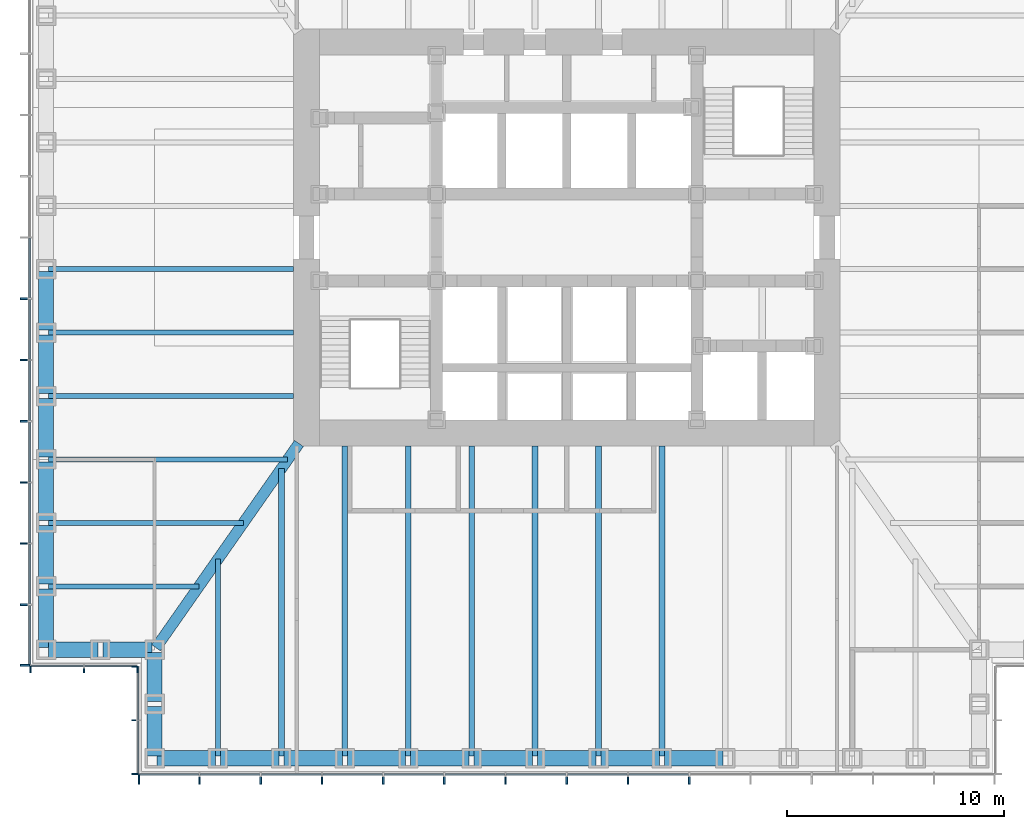
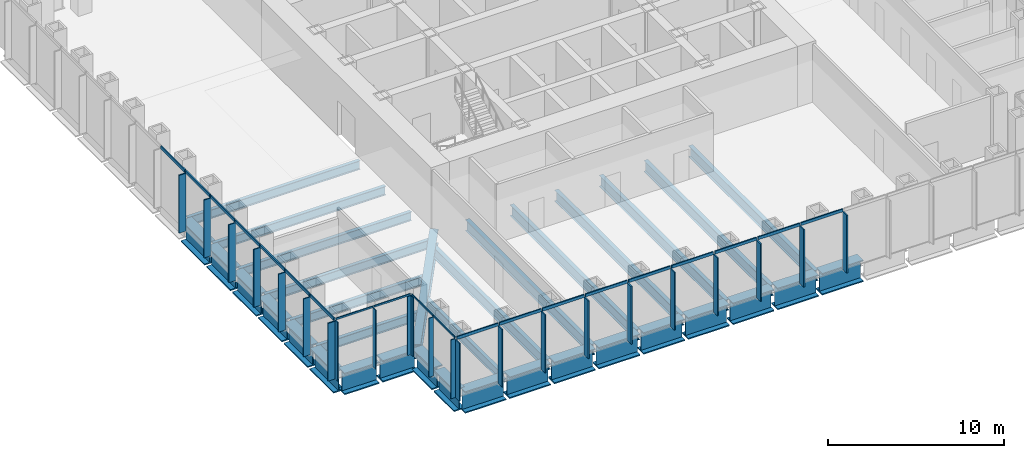
# One storey, part 2 of 16: 43 members, 34 beams, 4 elements without a shape of their own.
"""IFC4 building model written with IfcOpenShell, lengths in metres."""

from ifc_helpers import new_model, si_unit, direction, frame, origin, origin_2d, place, context, subcontext, project, spatial, rectangle, i_section, extrude, material, material_profile, profile_set, type_object, element, aggregate, save


model = new_model("IFC4")

# Units and contexts
model_context = context("Model", 3, precision=1e-05, world=origin(), true_north=direction((0.0, 1.0)))
body_context = subcontext(model_context, "Body", "Model", "MODEL_VIEW")
ifc_project = project(units=[si_unit("LENGTHUNIT", "METRE"), si_unit("AREAUNIT", "SQUARE_METRE"), si_unit("VOLUMEUNIT", "CUBIC_METRE"), si_unit("PLANEANGLEUNIT", "RADIAN"), si_unit("MASSUNIT", "GRAM", prefix="KILO")], contexts=[model_context])

# Site, building, storey
site_placement = place(None, origin())
site = spatial("IfcSite", under=ifc_project, at=site_placement, CompositionType="ELEMENT")
building_placement = place(site_placement, origin())
building = spatial("IfcBuilding", under=site, at=building_placement, Name="Daluyong Arena Tower", CompositionType="ELEMENT")
storey_placement = place(building_placement, frame((0.0, 0.0, 76.89990234375)))
storey = spatial("IfcBuildingStorey", under=building, at=storey_placement, Name="L16", CompositionType="ELEMENT", Elevation=76.89990234375)

# Curtain wall, members
ifc_material_1 = material(Name="Bronze anodised aluminium and glass", Category="aluminium")
curtain_wall_type_1 = type_object("IfcCurtainWallType", Name="Curtain wall CW1", PredefinedType="USERDEFINED", material=ifc_material_1)
curtain_wall_1_placement = place(storey_placement, origin())
curtain_wall_1 = element("IfcCurtainWall", 1, at=curtain_wall_1_placement, inside=storey, type_object=curtain_wall_type_1, Name="curtain wall L16 S", ObjectType="UNITISED CURTAIN WALL", PredefinedType="USERDEFINED")
ifc_material_2 = material(Name="Bronze anodised aluminium fin", Category="aluminium")
ifc_material_profile_1 = material_profile(ifc_material_2, rectangle(XDim=0.449951171875, YDim=0.080078125, at=origin_2d()))
ifc_profile_set_1 = profile_set([ifc_material_profile_1], Name="Bronze anodised aluminium fin")
member_type_1 = type_object("IfcMemberType", Name="CW1 bronze fin 450x80", PredefinedType="MULLION", material=ifc_profile_set_1)
member_1_placement = place(storey_placement, frame((36.2900390625, 55.02490234375, 0.0), z_axis=(0.0, 0.0, 1.0), x_axis=(0.0, 1.0, 0.0)))
member_1 = element("IfcMember", 2, at=member_1_placement, type_object=member_type_1, Name="curtain wall L16 S fin 1", PredefinedType="MULLION", context=body_context, shape_type="SweptSolid", body=[
    extrude(rectangle(XDim=0.449951171875, YDim=0.080078125, at=origin_2d()), origin(), (0.0, 0.0, 1.0), 4.0),
])
member_2_placement = place(storey_placement, frame((39.071533203125, 55.02490234375, 0.0), z_axis=(0.0, 0.0, 1.0), x_axis=(0.0, 1.0, 0.0)))
member_2 = element("IfcMember", 3, at=member_2_placement, type_object=member_type_1, Name="curtain wall L16 S fin 2", PredefinedType="MULLION", context=body_context, shape_type="SweptSolid", body=[
    extrude(rectangle(XDim=0.449951171875, YDim=0.080078125, at=origin_2d()), origin(), (0.0, 0.0, 1.0), 4.0),
])
member_3_placement = place(storey_placement, frame((41.892822265625, 55.02490234375, 0.0), z_axis=(0.0, 0.0, 1.0), x_axis=(0.0, 1.0, 0.0)))
member_3 = element("IfcMember", 4, at=member_3_placement, type_object=member_type_1, Name="curtain wall L16 S fin 3", PredefinedType="MULLION", context=body_context, shape_type="SweptSolid", body=[
    extrude(rectangle(XDim=0.449951171875, YDim=0.080078125, at=origin_2d()), origin(), (0.0, 0.0, 1.0), 4.0),
])
member_4_placement = place(storey_placement, frame((44.71435546875, 55.02490234375, 0.0), z_axis=(0.0, 0.0, 1.0), x_axis=(0.0, 1.0, 0.0)))
member_4 = element("IfcMember", 5, at=member_4_placement, type_object=member_type_1, Name="curtain wall L16 S fin 4", PredefinedType="MULLION", context=body_context, shape_type="SweptSolid", body=[
    extrude(rectangle(XDim=0.449951171875, YDim=0.080078125, at=origin_2d()), origin(), (0.0, 0.0, 1.0), 4.0),
])
member_5_placement = place(storey_placement, frame((47.53564453125, 55.02490234375, 0.0), z_axis=(0.0, 0.0, 1.0), x_axis=(0.0, 1.0, 0.0)))
member_5 = element("IfcMember", 6, at=member_5_placement, type_object=member_type_1, Name="curtain wall L16 S fin 5", PredefinedType="MULLION", context=body_context, shape_type="SweptSolid", body=[
    extrude(rectangle(XDim=0.449951171875, YDim=0.080078125, at=origin_2d()), origin(), (0.0, 0.0, 1.0), 4.0),
])
member_6_placement = place(storey_placement, frame((50.357177734375, 55.02490234375, 0.0), z_axis=(0.0, 0.0, 1.0), x_axis=(0.0, 1.0, 0.0)))
member_6 = element("IfcMember", 7, at=member_6_placement, type_object=member_type_1, Name="curtain wall L16 S fin 6", PredefinedType="MULLION", context=body_context, shape_type="SweptSolid", body=[
    extrude(rectangle(XDim=0.449951171875, YDim=0.080078125, at=origin_2d()), origin(), (0.0, 0.0, 1.0), 4.0),
])
member_7_placement = place(storey_placement, frame((53.178466796875, 55.02490234375, 0.0), z_axis=(0.0, 0.0, 1.0), x_axis=(0.0, 1.0, 0.0)))
member_7 = element("IfcMember", 8, at=member_7_placement, type_object=member_type_1, Name="curtain wall L16 S fin 7", PredefinedType="MULLION", context=body_context, shape_type="SweptSolid", body=[
    extrude(rectangle(XDim=0.449951171875, YDim=0.080078125, at=origin_2d()), origin(), (0.0, 0.0, 1.0), 4.0),
])
member_8_placement = place(storey_placement, frame((56.0, 55.02490234375, 0.0), z_axis=(0.0, 0.0, 1.0), x_axis=(0.0, 1.0, 0.0)))
member_8 = element("IfcMember", 9, at=member_8_placement, type_object=member_type_1, Name="curtain wall L16 S fin 8", PredefinedType="MULLION", context=body_context, shape_type="SweptSolid", body=[
    extrude(rectangle(XDim=0.449951171875, YDim=0.080078125, at=origin_2d()), origin(), (0.0, 0.0, 1.0), 4.0),
])
member_9_placement = place(storey_placement, frame((58.821533203125, 55.02490234375, 0.0), z_axis=(0.0, 0.0, 1.0), x_axis=(0.0, 1.0, 0.0)))
member_9 = element("IfcMember", 10, at=member_9_placement, type_object=member_type_1, Name="curtain wall L16 S fin 9", PredefinedType="MULLION", context=body_context, shape_type="SweptSolid", body=[
    extrude(rectangle(XDim=0.449951171875, YDim=0.080078125, at=origin_2d()), origin(), (0.0, 0.0, 1.0), 4.0),
])
member_10_placement = place(storey_placement, frame((61.642822265625, 55.02490234375, 0.0), z_axis=(0.0, 0.0, 1.0), x_axis=(0.0, 1.0, 0.0)))
member_10 = element("IfcMember", 11, at=member_10_placement, type_object=member_type_1, Name="curtain wall L16 S fin 10", PredefinedType="MULLION", context=body_context, shape_type="SweptSolid", body=[
    extrude(rectangle(XDim=0.449951171875, YDim=0.080078125, at=origin_2d()), origin(), (0.0, 0.0, 1.0), 4.0),
])

curtain_wall_2_placement = place(storey_placement, origin())
curtain_wall_2 = element("IfcCurtainWall", 12, at=curtain_wall_2_placement, inside=storey, type_object=curtain_wall_type_1, Name="curtain wall L16 W", ObjectType="UNITISED CURTAIN WALL", PredefinedType="USERDEFINED")
member_11_placement = place(storey_placement, frame((31.02490234375, 77.178466796875, 0.0), z_axis=(0.0, 0.0, 1.0), x_axis=(1.0, 0.0, 0.0)))
member_11 = element("IfcMember", 13, at=member_11_placement, type_object=member_type_1, Name="curtain wall L16 W fin 9", PredefinedType="MULLION", context=body_context, shape_type="SweptSolid", body=[
    extrude(rectangle(XDim=0.449951171875, YDim=0.080078125, at=origin_2d()), origin(), (0.0, 0.0, 1.0), 4.0),
])
member_12_placement = place(storey_placement, frame((31.02490234375, 74.357177734375, 0.0), z_axis=(0.0, 0.0, 1.0), x_axis=(1.0, 0.0, 0.0)))
member_12 = element("IfcMember", 14, at=member_12_placement, type_object=member_type_1, Name="curtain wall L16 W fin 10", PredefinedType="MULLION", context=body_context, shape_type="SweptSolid", body=[
    extrude(rectangle(XDim=0.449951171875, YDim=0.080078125, at=origin_2d()), origin(), (0.0, 0.0, 1.0), 4.0),
])
member_13_placement = place(storey_placement, frame((31.02490234375, 71.53564453125, 0.0), z_axis=(0.0, 0.0, 1.0), x_axis=(1.0, 0.0, 0.0)))
member_13 = element("IfcMember", 15, at=member_13_placement, type_object=member_type_1, Name="curtain wall L16 W fin 11", PredefinedType="MULLION", context=body_context, shape_type="SweptSolid", body=[
    extrude(rectangle(XDim=0.449951171875, YDim=0.080078125, at=origin_2d()), origin(), (0.0, 0.0, 1.0), 4.0),
])
member_14_placement = place(storey_placement, frame((31.02490234375, 68.71435546875, 0.0), z_axis=(0.0, 0.0, 1.0), x_axis=(1.0, 0.0, 0.0)))
member_14 = element("IfcMember", 16, at=member_14_placement, type_object=member_type_1, Name="curtain wall L16 W fin 12", PredefinedType="MULLION", context=body_context, shape_type="SweptSolid", body=[
    extrude(rectangle(XDim=0.449951171875, YDim=0.080078125, at=origin_2d()), origin(), (0.0, 0.0, 1.0), 4.0),
])
member_15_placement = place(storey_placement, frame((31.02490234375, 65.892822265625, 0.0), z_axis=(0.0, 0.0, 1.0), x_axis=(1.0, 0.0, 0.0)))
member_15 = element("IfcMember", 17, at=member_15_placement, type_object=member_type_1, Name="curtain wall L16 W fin 13", PredefinedType="MULLION", context=body_context, shape_type="SweptSolid", body=[
    extrude(rectangle(XDim=0.449951171875, YDim=0.080078125, at=origin_2d()), origin(), (0.0, 0.0, 1.0), 4.0),
])
member_16_placement = place(storey_placement, frame((31.02490234375, 63.071533203125, 0.0), z_axis=(0.0, 0.0, 1.0), x_axis=(1.0, 0.0, 0.0)))
member_16 = element("IfcMember", 18, at=member_16_placement, type_object=member_type_1, Name="curtain wall L16 W fin 14", PredefinedType="MULLION", context=body_context, shape_type="SweptSolid", body=[
    extrude(rectangle(XDim=0.449951171875, YDim=0.080078125, at=origin_2d()), origin(), (0.0, 0.0, 1.0), 4.0),
])
member_17_placement = place(storey_placement, frame((31.02490234375, 60.2900390625, 0.0), z_axis=(0.0, 0.0, 1.0), x_axis=(1.0, 0.0, 0.0)))
member_17 = element("IfcMember", 19, at=member_17_placement, type_object=member_type_1, Name="curtain wall L16 W fin 15", PredefinedType="MULLION", context=body_context, shape_type="SweptSolid", body=[
    extrude(rectangle(XDim=0.449951171875, YDim=0.080078125, at=origin_2d()), origin(), (0.0, 0.0, 1.0), 4.0),
])

# Member
ifc_material_3 = material(Name="Bronze anodised aluminium", Category="aluminium")
ifc_material_profile_2 = material_profile(ifc_material_3, rectangle(XDim=0.080078125, YDim=0.199951171875, at=origin_2d()))
ifc_profile_set_2 = profile_set([ifc_material_profile_2], Name="Bronze anodised aluminium")
member_type_2 = type_object("IfcMemberType", Name="CW1 stack transom 200x80", PredefinedType="USERDEFINED", material=ifc_profile_set_2)
member_18_placement = place(storey_placement, frame((36.330078125, 55.25, 4.10009765625), z_axis=(1.0, 0.0, 0.0), x_axis=(0.0, 1.0, 0.0)))
member_18 = element("IfcMember", 20, at=member_18_placement, type_object=member_type_2, Name="curtain wall L16 S transom 1", ObjectType="TRANSOM", PredefinedType="USERDEFINED", context=body_context, shape_type="SweptSolid", body=[
    extrude(rectangle(XDim=0.080078125, YDim=0.199951171875, at=origin_2d()), origin(), (0.0, 0.0, 1.0), 2.701416015625),
])

member_19_placement = place(storey_placement, frame((39.111328125, 55.25, 4.10009765625), z_axis=(1.0, 0.0, 0.0), x_axis=(0.0, 1.0, 0.0)))
member_19 = element("IfcMember", 21, at=member_19_placement, type_object=member_type_2, Name="curtain wall L16 S transom 2", ObjectType="TRANSOM", PredefinedType="USERDEFINED", context=body_context, shape_type="SweptSolid", body=[
    extrude(rectangle(XDim=0.080078125, YDim=0.199951171875, at=origin_2d()), origin(), (0.0, 0.0, 1.0), 2.741455078125),
])

member_20_placement = place(storey_placement, frame((41.932861328125, 55.25, 4.10009765625), z_axis=(1.0, 0.0, 0.0), x_axis=(0.0, 1.0, 0.0)))
member_20 = element("IfcMember", 22, at=member_20_placement, type_object=member_type_2, Name="curtain wall L16 S transom 3", ObjectType="TRANSOM", PredefinedType="USERDEFINED", context=body_context, shape_type="SweptSolid", body=[
    extrude(rectangle(XDim=0.080078125, YDim=0.199951171875, at=origin_2d()), origin(), (0.0, 0.0, 1.0), 2.741455078125),
])

member_21_placement = place(storey_placement, frame((44.75439453125, 55.25, 4.10009765625), z_axis=(1.0, 0.0, 0.0), x_axis=(0.0, 1.0, 0.0)))
member_21 = element("IfcMember", 23, at=member_21_placement, type_object=member_type_2, Name="curtain wall L16 S transom 4", ObjectType="TRANSOM", PredefinedType="USERDEFINED", context=body_context, shape_type="SweptSolid", body=[
    extrude(rectangle(XDim=0.080078125, YDim=0.199951171875, at=origin_2d()), origin(), (0.0, 0.0, 1.0), 2.7412109375),
])

member_22_placement = place(storey_placement, frame((47.57568359375, 55.25, 4.10009765625), z_axis=(1.0, 0.0, 0.0), x_axis=(0.0, 1.0, 0.0)))
member_22 = element("IfcMember", 24, at=member_22_placement, type_object=member_type_2, Name="curtain wall L16 S transom 5", ObjectType="TRANSOM", PredefinedType="USERDEFINED", context=body_context, shape_type="SweptSolid", body=[
    extrude(rectangle(XDim=0.080078125, YDim=0.199951171875, at=origin_2d()), origin(), (0.0, 0.0, 1.0), 2.741455078125),
])

member_23_placement = place(storey_placement, frame((50.397216796875, 55.25, 4.10009765625), z_axis=(1.0, 0.0, 0.0), x_axis=(0.0, 1.0, 0.0)))
member_23 = element("IfcMember", 25, at=member_23_placement, type_object=member_type_2, Name="curtain wall L16 S transom 6", ObjectType="TRANSOM", PredefinedType="USERDEFINED", context=body_context, shape_type="SweptSolid", body=[
    extrude(rectangle(XDim=0.080078125, YDim=0.199951171875, at=origin_2d()), origin(), (0.0, 0.0, 1.0), 2.741455078125),
])

member_24_placement = place(storey_placement, frame((53.218505859375, 55.25, 4.10009765625), z_axis=(1.0, 0.0, 0.0), x_axis=(0.0, 1.0, 0.0)))
member_24 = element("IfcMember", 26, at=member_24_placement, type_object=member_type_2, Name="curtain wall L16 S transom 7", ObjectType="TRANSOM", PredefinedType="USERDEFINED", context=body_context, shape_type="SweptSolid", body=[
    extrude(rectangle(XDim=0.080078125, YDim=0.199951171875, at=origin_2d()), origin(), (0.0, 0.0, 1.0), 2.741455078125),
])

member_25_placement = place(storey_placement, frame((56.0400390625, 55.25, 4.10009765625), z_axis=(1.0, 0.0, 0.0), x_axis=(0.0, 1.0, 0.0)))
member_25 = element("IfcMember", 27, at=member_25_placement, type_object=member_type_2, Name="curtain wall L16 S transom 8", ObjectType="TRANSOM", PredefinedType="USERDEFINED", context=body_context, shape_type="SweptSolid", body=[
    extrude(rectangle(XDim=0.080078125, YDim=0.199951171875, at=origin_2d()), origin(), (0.0, 0.0, 1.0), 2.741455078125),
])

member_26_placement = place(storey_placement, frame((58.861328125, 55.25, 4.10009765625), z_axis=(1.0, 0.0, 0.0), x_axis=(0.0, 1.0, 0.0)))
member_26 = element("IfcMember", 28, at=member_26_placement, type_object=member_type_2, Name="curtain wall L16 S transom 9", ObjectType="TRANSOM", PredefinedType="USERDEFINED", context=body_context, shape_type="SweptSolid", body=[
    extrude(rectangle(XDim=0.080078125, YDim=0.199951171875, at=origin_2d()), origin(), (0.0, 0.0, 1.0), 2.741455078125),
])

aggregate(curtain_wall_1, [member_1, member_2, member_3, member_4, member_5, member_6, member_7, member_8, member_9, member_10, member_18, member_19, member_20, member_21, member_22, member_23, member_24, member_25, member_26])

member_27_placement = place(storey_placement, frame((31.25, 79.9599609375, 4.10009765625), z_axis=(0.0, -1.0, 0.0), x_axis=(1.0, 0.0, 0.0)))
member_27 = element("IfcMember", 29, at=member_27_placement, type_object=member_type_2, Name="curtain wall L16 W transom 8", ObjectType="TRANSOM", PredefinedType="USERDEFINED", context=body_context, shape_type="SweptSolid", body=[
    extrude(rectangle(XDim=0.080078125, YDim=0.199951171875, at=origin_2d()), origin(), (0.0, 0.0, 1.0), 2.741455078125),
])

member_28_placement = place(storey_placement, frame((31.25, 77.138671875, 4.10009765625), z_axis=(0.0, -1.0, 0.0), x_axis=(1.0, 0.0, 0.0)))
member_28 = element("IfcMember", 30, at=member_28_placement, type_object=member_type_2, Name="curtain wall L16 W transom 9", ObjectType="TRANSOM", PredefinedType="USERDEFINED", context=body_context, shape_type="SweptSolid", body=[
    extrude(rectangle(XDim=0.080078125, YDim=0.199951171875, at=origin_2d()), origin(), (0.0, 0.0, 1.0), 2.741455078125),
])

member_29_placement = place(storey_placement, frame((31.25, 74.317138671875, 4.10009765625), z_axis=(0.0, -1.0, 0.0), x_axis=(1.0, 0.0, 0.0)))
member_29 = element("IfcMember", 31, at=member_29_placement, type_object=member_type_2, Name="curtain wall L16 W transom 10", ObjectType="TRANSOM", PredefinedType="USERDEFINED", context=body_context, shape_type="SweptSolid", body=[
    extrude(rectangle(XDim=0.080078125, YDim=0.199951171875, at=origin_2d()), origin(), (0.0, 0.0, 1.0), 2.741455078125),
])

member_30_placement = place(storey_placement, frame((31.25, 71.49560546875, 4.10009765625), z_axis=(0.0, -1.0, 0.0), x_axis=(1.0, 0.0, 0.0)))
member_30 = element("IfcMember", 32, at=member_30_placement, type_object=member_type_2, Name="curtain wall L16 W transom 11", ObjectType="TRANSOM", PredefinedType="USERDEFINED", context=body_context, shape_type="SweptSolid", body=[
    extrude(rectangle(XDim=0.080078125, YDim=0.199951171875, at=origin_2d()), origin(), (0.0, 0.0, 1.0), 2.7412109375),
])

member_31_placement = place(storey_placement, frame((31.25, 68.67431640625, 4.10009765625), z_axis=(0.0, -1.0, 0.0), x_axis=(1.0, 0.0, 0.0)))
member_31 = element("IfcMember", 33, at=member_31_placement, type_object=member_type_2, Name="curtain wall L16 W transom 12", ObjectType="TRANSOM", PredefinedType="USERDEFINED", context=body_context, shape_type="SweptSolid", body=[
    extrude(rectangle(XDim=0.080078125, YDim=0.199951171875, at=origin_2d()), origin(), (0.0, 0.0, 1.0), 2.741455078125),
])

member_32_placement = place(storey_placement, frame((31.25, 65.852783203125, 4.10009765625), z_axis=(0.0, -1.0, 0.0), x_axis=(1.0, 0.0, 0.0)))
member_32 = element("IfcMember", 34, at=member_32_placement, type_object=member_type_2, Name="curtain wall L16 W transom 13", ObjectType="TRANSOM", PredefinedType="USERDEFINED", context=body_context, shape_type="SweptSolid", body=[
    extrude(rectangle(XDim=0.080078125, YDim=0.199951171875, at=origin_2d()), origin(), (0.0, 0.0, 1.0), 2.741455078125),
])

member_33_placement = place(storey_placement, frame((31.25, 63.031494140625, 4.10009765625), z_axis=(0.0, -1.0, 0.0), x_axis=(1.0, 0.0, 0.0)))
member_33 = element("IfcMember", 35, at=member_33_placement, type_object=member_type_2, Name="curtain wall L16 W transom 14", ObjectType="TRANSOM", PredefinedType="USERDEFINED", context=body_context, shape_type="SweptSolid", body=[
    extrude(rectangle(XDim=0.080078125, YDim=0.199951171875, at=origin_2d()), origin(), (0.0, 0.0, 1.0), 2.701416015625),
])

aggregate(curtain_wall_2, [member_11, member_12, member_13, member_14, member_15, member_16, member_17, member_27, member_28, member_29, member_30, member_31, member_32, member_33])

# Curtain wall, members
ifc_material_4 = material(Name="Bronze anodised aluminium and glass", Category="aluminium")
curtain_wall_type_2 = type_object("IfcCurtainWallType", Name="Curtain wall CW7", PredefinedType="USERDEFINED", material=ifc_material_4)
curtain_wall_3_placement = place(storey_placement, origin())
curtain_wall_3 = element("IfcCurtainWall", 36, at=curtain_wall_3_placement, inside=storey, type_object=curtain_wall_type_2, Name="curtain wall L16 SW-S", ObjectType="UNITISED CURTAIN WALL", PredefinedType="USERDEFINED")
ifc_material_5 = material(Name="Bronze anodised aluminium fin", Category="aluminium")
ifc_material_profile_3 = material_profile(ifc_material_5, rectangle(XDim=0.300048828125, YDim=0.06005859375, at=origin_2d()))
ifc_profile_set_3 = profile_set([ifc_material_profile_3], Name="Bronze anodised aluminium fin")
member_type_3 = type_object("IfcMemberType", Name="CW7 bronze fin 300x60", PredefinedType="MULLION", material=ifc_profile_set_3)
member_34_placement = place(storey_placement, frame((31.280029296875, 60.10009765625, 0.0), z_axis=(0.0, 0.0, 1.0), x_axis=(0.0, 1.0, 0.0)))
member_34 = element("IfcMember", 37, at=member_34_placement, type_object=member_type_3, Name="curtain wall L16 SW-S fin 1", PredefinedType="MULLION", context=body_context, shape_type="SweptSolid", body=[
    extrude(rectangle(XDim=0.300048828125, YDim=0.06005859375, at=origin_2d()), origin(), (0.0, 0.0, 1.0), 4.080078125),
])
member_35_placement = place(storey_placement, frame((33.75, 60.10009765625, 0.0), z_axis=(0.0, 0.0, 1.0), x_axis=(0.0, 1.0, 0.0)))
member_35 = element("IfcMember", 38, at=member_35_placement, type_object=member_type_3, Name="curtain wall L16 SW-S fin 2", PredefinedType="MULLION", context=body_context, shape_type="SweptSolid", body=[
    extrude(rectangle(XDim=0.300048828125, YDim=0.06005859375, at=origin_2d()), origin(), (0.0, 0.0, 1.0), 4.080078125),
])
member_36_placement = place(storey_placement, frame((36.219970703125, 60.10009765625, 0.0), z_axis=(0.0, 0.0, 1.0), x_axis=(0.0, 1.0, 0.0)))
member_36 = element("IfcMember", 39, at=member_36_placement, type_object=member_type_3, Name="curtain wall L16 SW-S fin 3", PredefinedType="MULLION", context=body_context, shape_type="SweptSolid", body=[
    extrude(rectangle(XDim=0.300048828125, YDim=0.06005859375, at=origin_2d()), origin(), (0.0, 0.0, 1.0), 4.080078125),
])

curtain_wall_4_placement = place(storey_placement, origin())
curtain_wall_4 = element("IfcCurtainWall", 40, at=curtain_wall_4_placement, inside=storey, type_object=curtain_wall_type_2, Name="curtain wall L16 SW-W", ObjectType="UNITISED CURTAIN WALL", PredefinedType="USERDEFINED")
member_37_placement = place(storey_placement, frame((36.10009765625, 60.219970703125, 0.0), z_axis=(0.0, 0.0, 1.0), x_axis=(1.0, 0.0, 0.0)))
member_37 = element("IfcMember", 41, at=member_37_placement, type_object=member_type_3, Name="curtain wall L16 SW-W fin 1", PredefinedType="MULLION", context=body_context, shape_type="SweptSolid", body=[
    extrude(rectangle(XDim=0.300048828125, YDim=0.06005859375, at=origin_2d()), origin(), (0.0, 0.0, 1.0), 4.080078125),
])
member_38_placement = place(storey_placement, frame((36.10009765625, 57.75, 0.0), z_axis=(0.0, 0.0, 1.0), x_axis=(1.0, 0.0, 0.0)))
member_38 = element("IfcMember", 42, at=member_38_placement, type_object=member_type_3, Name="curtain wall L16 SW-W fin 2", PredefinedType="MULLION", context=body_context, shape_type="SweptSolid", body=[
    extrude(rectangle(XDim=0.300048828125, YDim=0.06005859375, at=origin_2d()), origin(), (0.0, 0.0, 1.0), 4.080078125),
])
member_39_placement = place(storey_placement, frame((36.10009765625, 55.280029296875, 0.0), z_axis=(0.0, 0.0, 1.0), x_axis=(1.0, 0.0, 0.0)))
member_39 = element("IfcMember", 43, at=member_39_placement, type_object=member_type_3, Name="curtain wall L16 SW-W fin 3", PredefinedType="MULLION", context=body_context, shape_type="SweptSolid", body=[
    extrude(rectangle(XDim=0.300048828125, YDim=0.06005859375, at=origin_2d()), origin(), (0.0, 0.0, 1.0), 4.080078125),
])

# Member
ifc_material_6 = material(Name="Bronze anodised aluminium", Category="aluminium")
ifc_material_profile_4 = material_profile(ifc_material_6, rectangle(XDim=0.06005859375, YDim=0.1201171875, at=origin_2d()))
ifc_profile_set_4 = profile_set([ifc_material_profile_4], Name="Bronze anodised aluminium")
member_type_4 = type_object("IfcMemberType", Name="CW7 stack transom 120x60", PredefinedType="USERDEFINED", material=ifc_profile_set_4)
member_40_placement = place(storey_placement, frame((31.31005859375, 60.25, 4.14013671875), z_axis=(1.0, 0.0, 0.0), x_axis=(0.0, 1.0, 0.0)))
member_40 = element("IfcMember", 44, at=member_40_placement, type_object=member_type_4, Name="curtain wall L16 SW-S transom 1", ObjectType="TRANSOM", PredefinedType="USERDEFINED", context=body_context, shape_type="SweptSolid", body=[
    extrude(rectangle(XDim=0.06005859375, YDim=0.1201171875, at=origin_2d()), origin(), (0.0, 0.0, 1.0), 2.409912109375),
])

member_41_placement = place(storey_placement, frame((33.780029296875, 60.25, 4.14013671875), z_axis=(1.0, 0.0, 0.0), x_axis=(0.0, 1.0, 0.0)))
member_41 = element("IfcMember", 45, at=member_41_placement, type_object=member_type_4, Name="curtain wall L16 SW-S transom 2", ObjectType="TRANSOM", PredefinedType="USERDEFINED", context=body_context, shape_type="SweptSolid", body=[
    extrude(rectangle(XDim=0.06005859375, YDim=0.1201171875, at=origin_2d()), origin(), (0.0, 0.0, 1.0), 2.409912109375),
])

aggregate(curtain_wall_3, [member_34, member_35, member_36, member_40, member_41])

member_42_placement = place(storey_placement, frame((36.25, 60.18994140625, 4.14013671875), z_axis=(0.0, -1.0, 0.0), x_axis=(1.0, 0.0, 0.0)))
member_42 = element("IfcMember", 46, at=member_42_placement, type_object=member_type_4, Name="curtain wall L16 SW-W transom 1", ObjectType="TRANSOM", PredefinedType="USERDEFINED", context=body_context, shape_type="SweptSolid", body=[
    extrude(rectangle(XDim=0.06005859375, YDim=0.1201171875, at=origin_2d()), origin(), (0.0, 0.0, 1.0), 2.409912109375),
])

member_43_placement = place(storey_placement, frame((36.25, 57.719970703125, 4.14013671875), z_axis=(0.0, -1.0, 0.0), x_axis=(1.0, 0.0, 0.0)))
member_43 = element("IfcMember", 47, at=member_43_placement, type_object=member_type_4, Name="curtain wall L16 SW-W transom 2", ObjectType="TRANSOM", PredefinedType="USERDEFINED", context=body_context, shape_type="SweptSolid", body=[
    extrude(rectangle(XDim=0.06005859375, YDim=0.1201171875, at=origin_2d()), origin(), (0.0, 0.0, 1.0), 2.409912109375),
])

aggregate(curtain_wall_4, [member_37, member_38, member_39, member_42, member_43])

# Beams
ifc_material_7 = material(Name="Steel ASTM A572 Grade 50", Category="steel")
ifc_material_profile_5 = material_profile(ifc_material_7, i_section(OverallWidth=0.5, OverallDepth=1.0, WebThickness=0.03, FlangeThickness=0.06, at=origin_2d()))
ifc_profile_set_5 = profile_set([ifc_material_profile_5], Name="Steel ASTM A572 Grade 50")
beam_type_1 = type_object("IfcBeamType", Name="Corner girder TB1000X500", PredefinedType="BEAM", material=ifc_profile_set_5)
beam_1_placement = place(storey_placement, frame((37.06591796875, 61.09423828125, -0.659912109375), z_axis=(0.573466621875, 0.819228926244, 0.0), x_axis=(-0.819228926244, 0.573466621875, 0.0)))
element("IfcBeam", 48, at=beam_1_placement, inside=storey, type_object=beam_type_1, Name="corner girder DG2", PredefinedType="BEAM", context=body_context, shape_type="SweptSolid", body=[
    extrude(i_section(OverallWidth=0.5, OverallDepth=1.0, WebThickness=0.03, FlangeThickness=0.06, at=origin_2d()), origin(), (0.0, 0.0, 1.0), 11.49169921875),
])
ifc_material_8 = material(Name="Steel ASTM A992 Grade 50", Category="steel")
ifc_material_profile_6 = material_profile(ifc_material_8, i_section(OverallWidth=0.22900390625, OverallDepth=0.612060546875, WebThickness=0.011962890625, FlangeThickness=0.01953125, at=origin_2d()))
ifc_profile_set_6 = profile_set([ifc_material_profile_6], Name="Steel ASTM A992 Grade 50")
beam_type_2 = type_object("IfcBeamType", Name="Floor beam W24X84", PredefinedType="BEAM", material=ifc_profile_set_6)
beam_2_placement = place(storey_placement, frame((39.923095703125, 56.114990234375, -0.466064453125), z_axis=(0.0, 1.0, 0.0), x_axis=(-1.0, 0.0, 0.0)))
element("IfcBeam", 49, at=beam_2_placement, inside=storey, type_object=beam_type_2, Name="floor beam FB3", PredefinedType="BEAM", context=body_context, shape_type="SweptSolid", body=[
    extrude(i_section(OverallWidth=0.22900390625, OverallDepth=0.612060546875, WebThickness=0.011962890625, FlangeThickness=0.01953125, at=origin_2d()), origin(), (0.0, 0.0, 1.0), 9.060791015625),
])
for number, where, z_axis, x_axis, name in (
    (50, (32.114990234375, 78.53857421875, -0.466064453125), (1.0, 0.0, 0.0), (0.0, 1.0, 0.0), "floor beam FB3"),
    (51, (32.114990234375, 75.615478515625, -0.466064453125), (1.0, 0.0, 0.0), (0.0, 1.0, 0.0), "floor beam FB3"),
    (52, (32.114990234375, 72.6923828125, -0.466064453125), (1.0, 0.0, 0.0), (0.0, 1.0, 0.0), "floor beam FB3"),
):
    element("IfcBeam", number, at=place(storey_placement, frame(where, z_axis=z_axis, x_axis=x_axis)), inside=storey, type_object=beam_type_2, Name=name, PredefinedType="BEAM", context=body_context, shape_type="SweptSolid", body=[
        extrude(i_section(OverallWidth=0.22900390625, OverallDepth=0.612060546875, WebThickness=0.011962890625, FlangeThickness=0.01953125, at=origin_2d()), origin(), (0.0, 0.0, 1.0), 11.284912109375),
    ])
beam_3_placement = place(storey_placement, frame((32.114990234375, 69.769287109375, -0.466064453125), z_axis=(1.0, 0.0, 0.0), x_axis=(0.0, 1.0, 0.0)))
element("IfcBeam", 53, at=beam_3_placement, inside=storey, type_object=beam_type_2, Name="floor beam FB3", PredefinedType="BEAM", context=body_context, shape_type="SweptSolid", body=[
    extrude(i_section(OverallWidth=0.22900390625, OverallDepth=0.612060546875, WebThickness=0.011962890625, FlangeThickness=0.01953125, at=origin_2d()), origin(), (0.0, 0.0, 1.0), 11.0234375),
])
beam_4_placement = place(storey_placement, frame((32.114990234375, 66.84619140625, -0.466064453125), z_axis=(1.0, 0.0, 0.0), x_axis=(0.0, 1.0, 0.0)))
element("IfcBeam", 54, at=beam_4_placement, inside=storey, type_object=beam_type_2, Name="floor beam FB3", PredefinedType="BEAM", context=body_context, shape_type="SweptSolid", body=[
    extrude(i_section(OverallWidth=0.22900390625, OverallDepth=0.612060546875, WebThickness=0.011962890625, FlangeThickness=0.01953125, at=origin_2d()), origin(), (0.0, 0.0, 1.0), 8.977294921875),
])
beam_5_placement = place(storey_placement, frame((32.114990234375, 63.923095703125, -0.466064453125), z_axis=(1.0, 0.0, 0.0), x_axis=(0.0, 1.0, 0.0)))
element("IfcBeam", 55, at=beam_5_placement, inside=storey, type_object=beam_type_2, Name="floor beam FB3", PredefinedType="BEAM", context=body_context, shape_type="SweptSolid", body=[
    extrude(i_section(OverallWidth=0.22900390625, OverallDepth=0.612060546875, WebThickness=0.011962890625, FlangeThickness=0.01953125, at=origin_2d()), origin(), (0.0, 0.0, 1.0), 6.93115234375),
])
ifc_material_9 = material(Name="Steel ASTM A992 Grade 50", Category="steel")
ifc_material_profile_7 = material_profile(ifc_material_9, i_section(OverallWidth=0.2666015625, OverallDepth=0.761962890625, WebThickness=0.014404296875, FlangeThickness=0.021484375, at=origin_2d()))
ifc_profile_set_7 = profile_set([ifc_material_profile_7], Name="Steel ASTM A992 Grade 50")
beam_type_3 = type_object("IfcBeamType", Name="Floor beam W30X116", PredefinedType="BEAM", material=ifc_profile_set_7)
beam_6_placement = place(storey_placement, frame((42.84619140625, 56.114990234375, -0.541015625), z_axis=(0.0, 1.0, 0.0), x_axis=(-1.0, 0.0, 0.0)))
element("IfcBeam", 56, at=beam_6_placement, inside=storey, type_object=beam_type_3, Name="floor beam FB4", PredefinedType="BEAM", context=body_context, shape_type="SweptSolid", body=[
    extrude(i_section(OverallWidth=0.2666015625, OverallDepth=0.761962890625, WebThickness=0.014404296875, FlangeThickness=0.021484375, at=origin_2d()), origin(), (0.0, 0.0, 1.0), 13.236572265625),
])
for number, where, z_axis, x_axis, name in (
    (57, (45.769287109375, 56.114990234375, -0.541015625), (0.0, 1.0, 0.0), (-1.0, 0.0, 0.0), "floor beam FB4"),
    (58, (48.6923828125, 56.114990234375, -0.541015625), (0.0, 1.0, 0.0), (-1.0, 0.0, 0.0), "floor beam FB4"),
    (59, (51.615478515625, 56.114990234375, -0.541015625), (0.0, 1.0, 0.0), (-1.0, 0.0, 0.0), "floor beam FB4"),
    (60, (54.53857421875, 56.114990234375, -0.541015625), (0.0, 1.0, 0.0), (-1.0, 0.0, 0.0), "floor beam FB4"),
    (61, (57.46142578125, 56.114990234375, -0.541015625), (0.0, 1.0, 0.0), (-1.0, 0.0, 0.0), "floor beam FB4"),
    (62, (60.384521484375, 56.114990234375, -0.541015625), (0.0, 1.0, 0.0), (-1.0, 0.0, 0.0), "floor beam FB4"),
):
    element("IfcBeam", number, at=place(storey_placement, frame(where, z_axis=z_axis, x_axis=x_axis)), inside=storey, type_object=beam_type_3, Name=name, PredefinedType="BEAM", context=body_context, shape_type="SweptSolid", body=[
        extrude(i_section(OverallWidth=0.2666015625, OverallDepth=0.761962890625, WebThickness=0.014404296875, FlangeThickness=0.021484375, at=origin_2d()), origin(), (0.0, 0.0, 1.0), 14.284912109375),
    ])
ifc_material_10 = material(Name="Steel ASTM A572 Grade 50", Category="steel")
ifc_material_profile_8 = material_profile(ifc_material_10, i_section(OverallWidth=0.699951171875, OverallDepth=1.5, WebThickness=0.04, FlangeThickness=0.08, at=origin_2d()))
ifc_profile_set_8 = profile_set([ifc_material_profile_8], Name="Steel ASTM A572 Grade 50")
beam_type_4 = type_object("IfcBeamType", Name="Spandrel Z1 PG1500X700", PredefinedType="SPANDREL", material=ifc_profile_set_8)
for number, where, z_axis, x_axis, name in (
    (63, (37.114990234375, 56.0, -0.909912109375), (1.0, 0.0, 0.0), (0.0, 1.0, 0.0), "spandrel z1 SB4"),
    (64, (40.0380859375, 56.0, -0.909912109375), (1.0, 0.0, 0.0), (0.0, 1.0, 0.0), "spandrel z1 SB4"),
    (65, (42.961181640625, 56.0, -0.909912109375), (1.0, 0.0, 0.0), (0.0, 1.0, 0.0), "spandrel z1 SB4"),
    (66, (45.88427734375, 56.0, -0.909912109375), (1.0, 0.0, 0.0), (0.0, 1.0, 0.0), "spandrel z1 SB4"),
    (67, (48.807373046875, 56.0, -0.909912109375), (1.0, 0.0, 0.0), (0.0, 1.0, 0.0), "spandrel z1 SB4"),
    (68, (51.73046875, 56.0, -0.909912109375), (1.0, 0.0, 0.0), (0.0, 1.0, 0.0), "spandrel z1 SB4"),
):
    element("IfcBeam", number, at=place(storey_placement, frame(where, z_axis=z_axis, x_axis=x_axis)), inside=storey, type_object=beam_type_4, Name=name, PredefinedType="SPANDREL", context=body_context, shape_type="SweptSolid", body=[
        extrude(i_section(OverallWidth=0.699951171875, OverallDepth=1.5, WebThickness=0.04, FlangeThickness=0.08, at=origin_2d()), origin(), (0.0, 0.0, 1.0), 2.693115234375),
    ])
beam_7_placement = place(storey_placement, frame((54.653564453125, 56.0, -0.909912109375), z_axis=(1.0, 0.0, 0.0), x_axis=(0.0, 1.0, 0.0)))
element("IfcBeam", 69, at=beam_7_placement, inside=storey, type_object=beam_type_4, Name="spandrel z1 SB4", PredefinedType="SPANDREL", context=body_context, shape_type="SweptSolid", body=[
    extrude(i_section(OverallWidth=0.699951171875, OverallDepth=1.5, WebThickness=0.04, FlangeThickness=0.08, at=origin_2d()), origin(), (0.0, 0.0, 1.0), 2.69287109375),
])
for number, where, z_axis, x_axis, name in (
    (70, (57.576416015625, 56.0, -0.909912109375), (1.0, 0.0, 0.0), (0.0, 1.0, 0.0), "spandrel z1 SB4"),
    (71, (60.49951171875, 56.0, -0.909912109375), (1.0, 0.0, 0.0), (0.0, 1.0, 0.0), "spandrel z1 SB4"),
    (72, (32.0, 78.423583984375, -0.909912109375), (0.0, -1.0, 0.0), (1.0, 0.0, 0.0), "spandrel z1 SB4"),
    (73, (32.0, 75.50048828125, -0.909912109375), (0.0, -1.0, 0.0), (1.0, 0.0, 0.0), "spandrel z1 SB4"),
    (74, (32.0, 72.577392578125, -0.909912109375), (0.0, -1.0, 0.0), (1.0, 0.0, 0.0), "spandrel z1 SB4"),
    (75, (32.0, 69.654296875, -0.909912109375), (0.0, -1.0, 0.0), (1.0, 0.0, 0.0), "spandrel z1 SB4"),
    (76, (32.0, 66.731201171875, -0.909912109375), (0.0, -1.0, 0.0), (1.0, 0.0, 0.0), "spandrel z1 SB4"),
    (77, (32.0, 63.80810546875, -0.909912109375), (0.0, -1.0, 0.0), (1.0, 0.0, 0.0), "spandrel z1 SB4"),
):
    element("IfcBeam", number, at=place(storey_placement, frame(where, z_axis=z_axis, x_axis=x_axis)), inside=storey, type_object=beam_type_4, Name=name, PredefinedType="SPANDREL", context=body_context, shape_type="SweptSolid", body=[
        extrude(i_section(OverallWidth=0.699951171875, OverallDepth=1.5, WebThickness=0.04, FlangeThickness=0.08, at=origin_2d()), origin(), (0.0, 0.0, 1.0), 2.693115234375),
    ])
for number, where, z_axis, x_axis, name in (
    (78, (32.114990234375, 61.0, -0.909912109375), (1.0, 0.0, 0.0), (0.0, 1.0, 0.0), "spandrel z1 SB4"),
    (79, (34.614990234375, 61.0, -0.909912109375), (1.0, 0.0, 0.0), (0.0, 1.0, 0.0), "spandrel z1 SB4"),
    (80, (37.0, 60.885009765625, -0.909912109375), (0.0, -1.0, 0.0), (1.0, 0.0, 0.0), "spandrel z1 SB4"),
    (81, (37.0, 58.385009765625, -0.909912109375), (0.0, -1.0, 0.0), (1.0, 0.0, 0.0), "spandrel z1 SB4"),
):
    element("IfcBeam", number, at=place(storey_placement, frame(where, z_axis=z_axis, x_axis=x_axis)), inside=storey, type_object=beam_type_4, Name=name, PredefinedType="SPANDREL", context=body_context, shape_type="SweptSolid", body=[
        extrude(i_section(OverallWidth=0.699951171875, OverallDepth=1.5, WebThickness=0.04, FlangeThickness=0.08, at=origin_2d()), origin(), (0.0, 0.0, 1.0), 2.27001953125),
    ])

save(model, "model.ifc")
